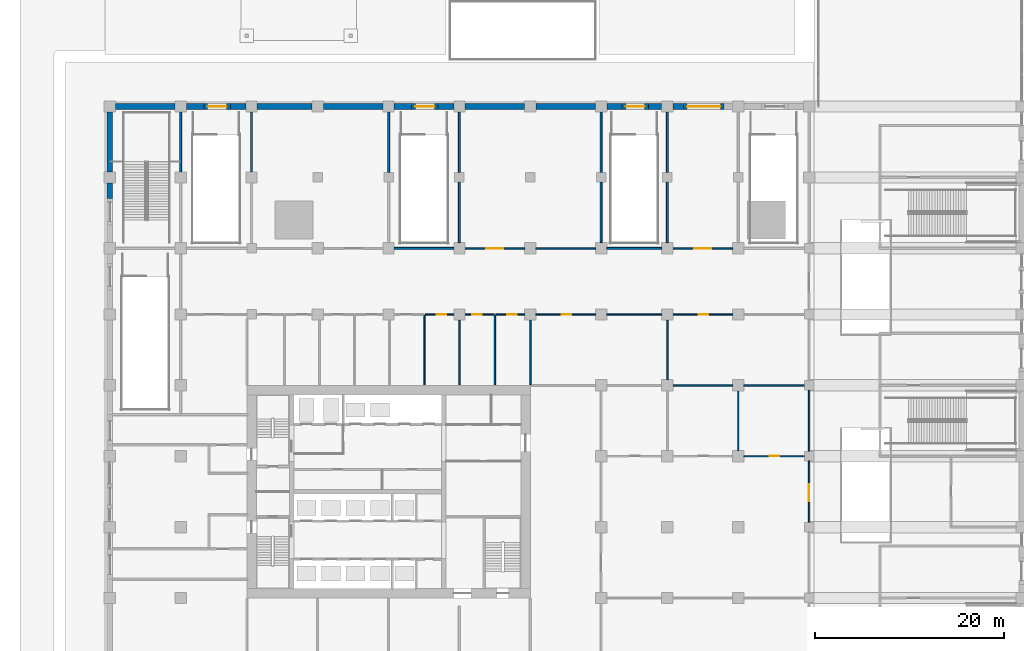
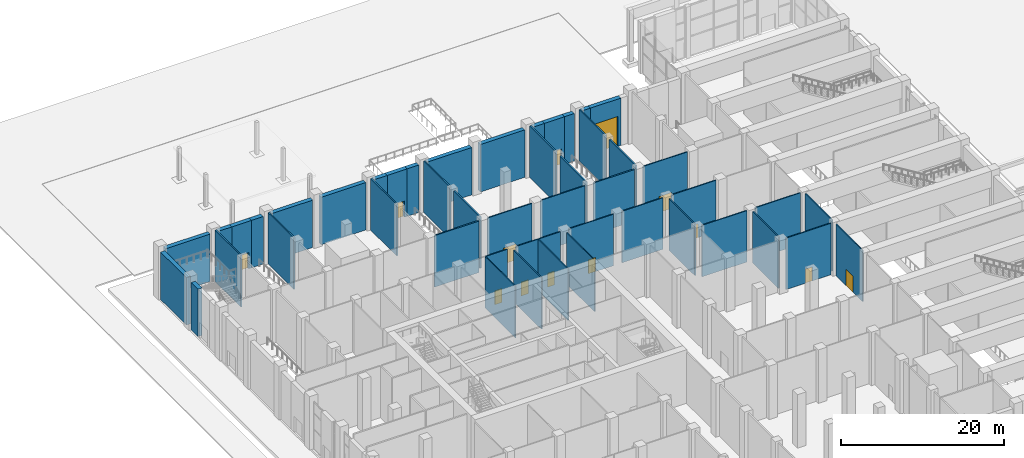
# One storey, part 30 of 57: 49 walls, 13 doors, 13 openings.
"""IFC4 building model written with IfcOpenShell, lengths in metres."""

from ifc_helpers import new_model, si_unit, direction, frame, frame_2d, origin, place, context, subcontext, project, spatial, rectangle, extrude, material, layer, layer_set, type_object, element, fill, save


model = new_model("IFC4")

# Units and contexts
model_context = context("Model", 3, precision=1e-05, world=origin(), true_north=direction((0.0, 1.0)))
body_context = subcontext(model_context, "Body", "Model", "MODEL_VIEW")
ifc_project = project(units=[si_unit("LENGTHUNIT", "METRE"), si_unit("AREAUNIT", "SQUARE_METRE"), si_unit("VOLUMEUNIT", "CUBIC_METRE"), si_unit("PLANEANGLEUNIT", "RADIAN"), si_unit("MASSUNIT", "GRAM", prefix="KILO")], contexts=[model_context])

# Site, building, storey
site_placement = place(None, origin())
site = spatial("IfcSite", under=ifc_project, at=site_placement, CompositionType="ELEMENT")
building_placement = place(site_placement, origin())
building = spatial("IfcBuilding", under=site, at=building_placement, Name="Tamorin Gate", CompositionType="ELEMENT")
storey_placement = place(building_placement, origin())
storey = spatial("IfcBuildingStorey", under=building, at=storey_placement, Name="L00", CompositionType="ELEMENT", Elevation=0.0)

# Wall, opening, door
ifc_material_1 = material(Name="Concrete masonry C20/25", Category="masonry")
ifc_layer_1 = layer(ifc_material_1, 0.14990234375)
ifc_layer_set_1 = layer_set([ifc_layer_1], Name="Partition 150")
wall_type_1 = type_object("IfcWallType", Name="Partition 150", PredefinedType="PARTITIONING", material=ifc_layer_set_1)
wall_1_placement = place(storey_placement, frame((59.39990234375, 97.0, 0.0), z_axis=(0.0, 0.0, 1.0), x_axis=(-1.0, 0.0, 0.0)))
wall_1 = element("IfcWall", 1, at=wall_1_placement, inside=storey, type_object=wall_type_1, Name="Partition 150 L00", PredefinedType="PARTITIONING", context=body_context, shape_type="SweptSolid", body=[
    extrude(rectangle(XDim=6.2998046875, YDim=0.14990234375, at=frame_2d((3.14990234375, 0.0))), origin(), (0.0, 0.0, 1.0), 7.699951171875),
])
opening_1_placement = place(wall_1_placement, frame((2.25, 0.0, 0.0)))
opening_1 = element("IfcOpeningElement", 2, at=opening_1_placement, cuts=wall_1, Name="Opening DP3", PredefinedType="OPENING", context=body_context, shape_type="SweptSolid", body=[
    extrude(rectangle(XDim=1.800048828125, YDim=2.39990234375, at=frame_2d((0.89990234375, 1.199951171875))), frame((0.0, 0.0849609375, 0.0), z_axis=(0.0, -1.0, 0.0), x_axis=(1.0, 0.0, 0.0)), (0.0, 0.0, 1.0), 0.169921875),
])
ifc_material_2 = material(Name="Steel and glass", Category="steel")
door_type_1 = type_object("IfcDoorType", Name="Door pair 1800", OperationType="DOUBLE_DOOR_SINGLE_SWING", PredefinedType="DOOR", material=ifc_material_2)
door_1_placement = place(opening_1_placement, origin())
door_1 = element("IfcDoor", 3, at=door_1_placement, inside=storey, type_object=door_type_1, Name="Door pair 1800 L00", OperationType="SINGLE_SWING_LEFT", OverallHeight=2.39990234375, OverallWidth=1.800048828125, PredefinedType="DOOR", context=body_context, shape_type="SweptSolid", body=[
    extrude(rectangle(XDim=1.800048828125, YDim=2.39990234375, at=frame_2d((0.89990234375, 1.199951171875))), frame((0.0, 0.02490234375, 0.0), z_axis=(0.0, -1.0, 0.0), x_axis=(1.0, 0.0, 0.0)), (0.0, 0.0, 1.0), 0.050048828125),
])
fill(opening_1, door_1)

# Wall
wall_2_placement = place(storey_placement, frame((60.60009765625, 97.0, 0.0), z_axis=(0.0, 0.0, 1.0), x_axis=(1.0, 0.0, 0.0)))
element("IfcWall", 4, at=wall_2_placement, inside=storey, type_object=wall_type_1, Name="Partition 150 L00", PredefinedType="PARTITIONING", context=body_context, shape_type="SweptSolid", body=[
    extrude(rectangle(XDim=6.2998046875, YDim=0.14990234375, at=frame_2d((3.14990234375, 0.0))), origin(), (0.0, 0.0, 1.0), 7.699951171875),
])

# Wall, opening, door
wall_3_placement = place(storey_placement, frame((81.39990234375, 97.0, 0.0), z_axis=(0.0, 0.0, 1.0), x_axis=(-1.0, 0.0, 0.0)))
wall_3 = element("IfcWall", 5, at=wall_3_placement, inside=storey, type_object=wall_type_1, Name="Partition 150 L00", PredefinedType="PARTITIONING", context=body_context, shape_type="SweptSolid", body=[
    extrude(rectangle(XDim=6.2998046875, YDim=0.14990234375, at=frame_2d((3.14990234375, 0.0))), origin(), (0.0, 0.0, 1.0), 7.699951171875),
])
opening_2_placement = place(wall_3_placement, frame((2.25, 0.0, 0.0)))
opening_2 = element("IfcOpeningElement", 6, at=opening_2_placement, cuts=wall_3, Name="Opening DP3", PredefinedType="OPENING", context=body_context, shape_type="SweptSolid", body=[
    extrude(rectangle(XDim=1.800048828125, YDim=2.39990234375, at=frame_2d((0.89990234375, 1.199951171875))), frame((0.0, 0.0849609375, 0.0), z_axis=(0.0, -1.0, 0.0), x_axis=(1.0, 0.0, 0.0)), (0.0, 0.0, 1.0), 0.169921875),
])
door_2_placement = place(opening_2_placement, origin())
door_2 = element("IfcDoor", 7, at=door_2_placement, inside=storey, type_object=door_type_1, Name="Door pair 1800 L00", OperationType="SINGLE_SWING_LEFT", OverallHeight=2.39990234375, OverallWidth=1.800048828125, PredefinedType="DOOR", context=body_context, shape_type="SweptSolid", body=[
    extrude(rectangle(XDim=1.800048828125, YDim=2.39990234375, at=frame_2d((0.89990234375, 1.199951171875))), frame((0.0, 0.02490234375, 0.0), z_axis=(0.0, -1.0, 0.0), x_axis=(1.0, 0.0, 0.0)), (0.0, 0.0, 1.0), 0.050048828125),
])
fill(opening_2, door_2)

wall_4_placement = place(storey_placement, frame((48.875, 90.0, 0.0), z_axis=(0.0, 0.0, 1.0), x_axis=(1.0, 0.0, 0.0)))
wall_4 = element("IfcWall", 8, at=wall_4_placement, inside=storey, type_object=wall_type_1, Name="Partition 150 L00", PredefinedType="PARTITIONING", context=body_context, shape_type="SweptSolid", body=[
    extrude(rectangle(XDim=3.02490234375, YDim=0.14990234375, at=frame_2d((1.512451171875, 0.0))), origin(), (0.0, 0.0, 1.0), 7.699951171875),
])
opening_3_placement = place(wall_4_placement, frame((1.25, 0.0, 0.0)))
opening_3 = element("IfcOpeningElement", 9, at=opening_3_placement, cuts=wall_4, Name="Opening DP2", PredefinedType="OPENING", context=body_context, shape_type="SweptSolid", body=[
    extrude(rectangle(XDim=1.0, YDim=2.10009765625, at=frame_2d((0.5, 1.050048828125))), frame((0.0, 0.0849609375, 0.0), z_axis=(0.0, -1.0, 0.0), x_axis=(1.0, 0.0, 0.0)), (0.0, 0.0, 1.0), 0.169921875),
])
ifc_material_3 = material(Name="Painted steel", Category="steel")
door_type_2 = type_object("IfcDoorType", Name="Door single 1000", OperationType="SINGLE_SWING_LEFT", PredefinedType="DOOR", material=ifc_material_3)
door_3_placement = place(opening_3_placement, origin())
door_3 = element("IfcDoor", 10, at=door_3_placement, inside=storey, type_object=door_type_2, Name="Door single 1000 L00", OperationType="SINGLE_SWING_LEFT", OverallHeight=2.10009765625, OverallWidth=1.0, PredefinedType="DOOR", context=body_context, shape_type="SweptSolid", body=[
    extrude(rectangle(XDim=1.0, YDim=2.10009765625, at=frame_2d((0.5, 1.050048828125))), frame((0.0, 0.02490234375, 0.0), z_axis=(0.0, -1.0, 0.0), x_axis=(1.0, 0.0, 0.0)), (0.0, 0.0, 1.0), 0.050048828125),
])
fill(opening_3, door_3)

wall_5_placement = place(storey_placement, frame((53.10009765625, 90.0, 0.0), z_axis=(0.0, 0.0, 1.0), x_axis=(1.0, 0.0, 0.0)))
wall_5 = element("IfcWall", 11, at=wall_5_placement, inside=storey, type_object=wall_type_1, Name="Partition 150 L00", PredefinedType="PARTITIONING", context=body_context, shape_type="SweptSolid", body=[
    extrude(rectangle(XDim=3.074951171875, YDim=0.14990234375, at=frame_2d((1.53759765625, 0.0))), origin(), (0.0, 0.0, 1.0), 7.699951171875),
])
opening_4_placement = place(wall_5_placement, frame((0.75, 0.0, 0.0)))
opening_4 = element("IfcOpeningElement", 12, at=opening_4_placement, cuts=wall_5, Name="Opening DP2", PredefinedType="OPENING", context=body_context, shape_type="SweptSolid", body=[
    extrude(rectangle(XDim=1.0, YDim=2.10009765625, at=frame_2d((0.5, 1.050048828125))), frame((0.0, 0.0849609375, 0.0), z_axis=(0.0, -1.0, 0.0), x_axis=(1.0, 0.0, 0.0)), (0.0, 0.0, 1.0), 0.169921875),
])
door_4_placement = place(opening_4_placement, origin())
door_4 = element("IfcDoor", 13, at=door_4_placement, inside=storey, type_object=door_type_2, Name="Door single 1000 L00", OperationType="SINGLE_SWING_LEFT", OverallHeight=2.10009765625, OverallWidth=1.0, PredefinedType="DOOR", context=body_context, shape_type="SweptSolid", body=[
    extrude(rectangle(XDim=1.0, YDim=2.10009765625, at=frame_2d((0.5, 1.050048828125))), frame((0.0, 0.02490234375, 0.0), z_axis=(0.0, -1.0, 0.0), x_axis=(1.0, 0.0, 0.0)), (0.0, 0.0, 1.0), 0.050048828125),
])
fill(opening_4, door_4)

wall_6_placement = place(storey_placement, frame((56.324951171875, 90.0, 0.0), z_axis=(0.0, 0.0, 1.0), x_axis=(1.0, 0.0, 0.0)))
wall_6 = element("IfcWall", 14, at=wall_6_placement, inside=storey, type_object=wall_type_1, Name="Partition 150 L00", PredefinedType="PARTITIONING", context=body_context, shape_type="SweptSolid", body=[
    extrude(rectangle(XDim=3.074951171875, YDim=0.14990234375, at=frame_2d((1.53759765625, 0.0))), origin(), (0.0, 0.0, 1.0), 7.699951171875),
])
opening_5_placement = place(wall_6_placement, frame((1.25, 0.0, 0.0)))
opening_5 = element("IfcOpeningElement", 15, at=opening_5_placement, cuts=wall_6, Name="Opening DP2", PredefinedType="OPENING", context=body_context, shape_type="SweptSolid", body=[
    extrude(rectangle(XDim=1.0, YDim=2.10009765625, at=frame_2d((0.5, 1.050048828125))), frame((0.0, 0.0849609375, 0.0), z_axis=(0.0, -1.0, 0.0), x_axis=(1.0, 0.0, 0.0)), (0.0, 0.0, 1.0), 0.169921875),
])
door_5_placement = place(opening_5_placement, origin())
door_5 = element("IfcDoor", 16, at=door_5_placement, inside=storey, type_object=door_type_2, Name="Door single 1000 L00", OperationType="SINGLE_SWING_LEFT", OverallHeight=2.10009765625, OverallWidth=1.0, PredefinedType="DOOR", context=body_context, shape_type="SweptSolid", body=[
    extrude(rectangle(XDim=1.0, YDim=2.10009765625, at=frame_2d((0.5, 1.050048828125))), frame((0.0, 0.02490234375, 0.0), z_axis=(0.0, -1.0, 0.0), x_axis=(1.0, 0.0, 0.0)), (0.0, 0.0, 1.0), 0.050048828125),
])
fill(opening_5, door_5)

wall_7_placement = place(storey_placement, frame((60.60009765625, 90.0, 0.0), z_axis=(0.0, 0.0, 1.0), x_axis=(1.0, 0.0, 0.0)))
wall_7 = element("IfcWall", 17, at=wall_7_placement, inside=storey, type_object=wall_type_1, Name="Partition 150 L00", PredefinedType="PARTITIONING", context=body_context, shape_type="SweptSolid", body=[
    extrude(rectangle(XDim=6.2998046875, YDim=0.14990234375, at=frame_2d((3.14990234375, 0.0))), origin(), (0.0, 0.0, 1.0), 7.699951171875),
])
opening_6_placement = place(wall_7_placement, frame((2.75, 0.0, 0.0)))
opening_6 = element("IfcOpeningElement", 18, at=opening_6_placement, cuts=wall_7, Name="Opening DP2", PredefinedType="OPENING", context=body_context, shape_type="SweptSolid", body=[
    extrude(rectangle(XDim=1.0, YDim=2.10009765625, at=frame_2d((0.5, 1.050048828125))), frame((0.0, 0.0849609375, 0.0), z_axis=(0.0, -1.0, 0.0), x_axis=(1.0, 0.0, 0.0)), (0.0, 0.0, 1.0), 0.169921875),
])
door_6_placement = place(opening_6_placement, origin())
door_6 = element("IfcDoor", 19, at=door_6_placement, inside=storey, type_object=door_type_2, Name="Door single 1000 L00", OperationType="SINGLE_SWING_LEFT", OverallHeight=2.10009765625, OverallWidth=1.0, PredefinedType="DOOR", context=body_context, shape_type="SweptSolid", body=[
    extrude(rectangle(XDim=1.0, YDim=2.10009765625, at=frame_2d((0.5, 1.050048828125))), frame((0.0, 0.02490234375, 0.0), z_axis=(0.0, -1.0, 0.0), x_axis=(1.0, 0.0, 0.0)), (0.0, 0.0, 1.0), 0.050048828125),
])
fill(opening_6, door_6)

# Wall
wall_8_placement = place(storey_placement, frame((68.10009765625, 90.0, 0.0), z_axis=(0.0, 0.0, 1.0), x_axis=(1.0, 0.0, 0.0)))
element("IfcWall", 20, at=wall_8_placement, inside=storey, type_object=wall_type_1, Name="Partition 150 L00", PredefinedType="PARTITIONING", context=body_context, shape_type="SweptSolid", body=[
    extrude(rectangle(XDim=5.7998046875, YDim=0.14990234375, at=frame_2d((2.89990234375, 0.0))), origin(), (0.0, 0.0, 1.0), 7.699951171875),
])

# Wall, opening, door
wall_9_placement = place(storey_placement, frame((75.10009765625, 90.0, 0.0), z_axis=(0.0, 0.0, 1.0), x_axis=(1.0, 0.0, 0.0)))
wall_9 = element("IfcWall", 21, at=wall_9_placement, inside=storey, type_object=wall_type_1, Name="Partition 150 L00", PredefinedType="PARTITIONING", context=body_context, shape_type="SweptSolid", body=[
    extrude(rectangle(XDim=6.2998046875, YDim=0.14990234375, at=frame_2d((3.14990234375, 0.0))), origin(), (0.0, 0.0, 1.0), 7.699951171875),
])
opening_7_placement = place(wall_9_placement, frame((2.75, 0.0, 0.0)))
opening_7 = element("IfcOpeningElement", 22, at=opening_7_placement, cuts=wall_9, Name="Opening DP2", PredefinedType="OPENING", context=body_context, shape_type="SweptSolid", body=[
    extrude(rectangle(XDim=1.0, YDim=2.10009765625, at=frame_2d((0.5, 1.050048828125))), frame((0.0, 0.0849609375, 0.0), z_axis=(0.0, -1.0, 0.0), x_axis=(1.0, 0.0, 0.0)), (0.0, 0.0, 1.0), 0.169921875),
])
door_7_placement = place(opening_7_placement, origin())
door_7 = element("IfcDoor", 23, at=door_7_placement, inside=storey, type_object=door_type_2, Name="Door single 1000 L00", OperationType="SINGLE_SWING_LEFT", OverallHeight=2.10009765625, OverallWidth=1.0, PredefinedType="DOOR", context=body_context, shape_type="SweptSolid", body=[
    extrude(rectangle(XDim=1.0, YDim=2.10009765625, at=frame_2d((0.5, 1.050048828125))), frame((0.0, 0.02490234375, 0.0), z_axis=(0.0, -1.0, 0.0), x_axis=(1.0, 0.0, 0.0)), (0.0, 0.0, 1.0), 0.050048828125),
])
fill(opening_7, door_7)

# Walls
wall_10_placement = place(storey_placement, frame((75.10009765625, 82.5, 0.0), z_axis=(0.0, 0.0, 1.0), x_axis=(1.0, 0.0, 0.0)))
element("IfcWall", 24, at=wall_10_placement, inside=storey, type_object=wall_type_1, Name="Partition 150 L00", PredefinedType="PARTITIONING", context=body_context, shape_type="SweptSolid", body=[
    extrude(rectangle(XDim=6.2998046875, YDim=0.14990234375, at=frame_2d((3.14990234375, 0.0))), origin(), (0.0, 0.0, 1.0), 7.699951171875),
])
wall_11_placement = place(storey_placement, frame((82.60009765625, 82.5, 0.0), z_axis=(0.0, 0.0, 1.0), x_axis=(1.0, 0.0, 0.0)))
element("IfcWall", 25, at=wall_11_placement, inside=storey, type_object=wall_type_1, Name="Partition 150 L00", PredefinedType="PARTITIONING", context=body_context, shape_type="SweptSolid", body=[
    extrude(rectangle(XDim=6.39990234375, YDim=0.14990234375, at=frame_2d((3.199951171875, 0.0))), origin(), (0.0, 0.0, 1.0), 7.699951171875),
])

# Wall, opening, door
wall_12_placement = place(storey_placement, frame((89.0, 75.0, 0.0), z_axis=(0.0, 0.0, 1.0), x_axis=(-1.0, 0.0, 0.0)))
wall_12 = element("IfcWall", 26, at=wall_12_placement, inside=storey, type_object=wall_type_1, Name="Partition 150 L00", PredefinedType="PARTITIONING", context=body_context, shape_type="SweptSolid", body=[
    extrude(rectangle(XDim=6.39990234375, YDim=0.14990234375, at=frame_2d((3.199951171875, 0.0))), origin(), (0.0, 0.0, 1.0), 7.699951171875),
])
opening_8_placement = place(wall_12_placement, frame((2.64990234375, 0.0, 0.0)))
opening_8 = element("IfcOpeningElement", 27, at=opening_8_placement, cuts=wall_12, Name="Opening DP2", PredefinedType="OPENING", context=body_context, shape_type="SweptSolid", body=[
    extrude(rectangle(XDim=1.0, YDim=2.10009765625, at=frame_2d((0.5, 1.050048828125))), frame((0.0, 0.0849609375, 0.0), z_axis=(0.0, -1.0, 0.0), x_axis=(1.0, 0.0, 0.0)), (0.0, 0.0, 1.0), 0.169921875),
])
door_8_placement = place(opening_8_placement, origin())
door_8 = element("IfcDoor", 28, at=door_8_placement, inside=storey, type_object=door_type_2, Name="Door single 1000 L00", OperationType="SINGLE_SWING_LEFT", OverallHeight=2.10009765625, OverallWidth=1.0, PredefinedType="DOOR", context=body_context, shape_type="SweptSolid", body=[
    extrude(rectangle(XDim=1.0, YDim=2.10009765625, at=frame_2d((0.5, 1.050048828125))), frame((0.0, 0.02490234375, 0.0), z_axis=(0.0, -1.0, 0.0), x_axis=(1.0, 0.0, 0.0)), (0.0, 0.0, 1.0), 0.050048828125),
])
fill(opening_8, door_8)

# Walls
for number, where, z_axis, x_axis, name in (
    (29, (52.5, 82.574951171875, 0.0), (0.0, 0.0, 1.0), (0.0, 1.0, 0.0), "Partition 150 L00"),
    (30, (60.0, 82.574951171875, 0.0), (0.0, 0.0, 1.0), (0.0, 1.0, 0.0), "Partition 150 L00"),
):
    element("IfcWall", number, at=place(storey_placement, frame(where, z_axis=z_axis, x_axis=x_axis)), inside=storey, type_object=wall_type_1, Name=name, PredefinedType="PARTITIONING", context=body_context, shape_type="SweptSolid", body=[
        extrude(rectangle(XDim=6.824951171875, YDim=0.14990234375, at=frame_2d((3.41259765625, 0.0))), origin(), (0.0, 0.0, 1.0), 7.699951171875),
    ])

# Wall, opening, door
wall_13_placement = place(storey_placement, frame((89.5, 74.5, 0.0), z_axis=(0.0, 0.0, 1.0), x_axis=(0.0, -1.0, 0.0)))
wall_13 = element("IfcWall", 31, at=wall_13_placement, inside=storey, type_object=wall_type_1, Name="Partition 150 L00", PredefinedType="PARTITIONING", context=body_context, shape_type="SweptSolid", body=[
    extrude(rectangle(XDim=6.5, YDim=0.14990234375, at=frame_2d((3.25, 0.0))), origin(), (0.0, 0.0, 1.0), 7.699951171875),
])
opening_9_placement = place(wall_13_placement, frame((2.449951171875, 0.0, 0.0)))
opening_9 = element("IfcOpeningElement", 32, at=opening_9_placement, cuts=wall_13, Name="Opening DP3", PredefinedType="OPENING", context=body_context, shape_type="SweptSolid", body=[
    extrude(rectangle(XDim=1.800048828125, YDim=2.39990234375, at=frame_2d((0.89990234375, 1.199951171875))), frame((0.0, 0.0849609375, 0.0), z_axis=(0.0, -1.0, 0.0), x_axis=(1.0, 0.0, 0.0)), (0.0, 0.0, 1.0), 0.169921875),
])
door_9_placement = place(opening_9_placement, origin())
door_9 = element("IfcDoor", 33, at=door_9_placement, inside=storey, type_object=door_type_1, Name="Door pair 1800 L00", OperationType="SINGLE_SWING_LEFT", OverallHeight=2.39990234375, OverallWidth=1.800048828125, PredefinedType="DOOR", context=body_context, shape_type="SweptSolid", body=[
    extrude(rectangle(XDim=1.800048828125, YDim=2.39990234375, at=frame_2d((0.89990234375, 1.199951171875))), frame((0.0, 0.02490234375, 0.0), z_axis=(0.0, -1.0, 0.0), x_axis=(1.0, 0.0, 0.0)), (0.0, 0.0, 1.0), 0.050048828125),
])
fill(opening_9, door_9)

# Walls
wall_14_placement = place(storey_placement, frame((89.5, 75.5, 0.0), z_axis=(0.0, 0.0, 1.0), x_axis=(0.0, 1.0, 0.0)))
element("IfcWall", 34, at=wall_14_placement, inside=storey, type_object=wall_type_1, Name="Partition 150 L00", PredefinedType="PARTITIONING", context=body_context, shape_type="SweptSolid", body=[
    extrude(rectangle(XDim=6.5, YDim=0.14990234375, at=frame_2d((3.25, 0.0))), origin(), (0.0, 0.0, 1.0), 7.699951171875),
])
for number, where, z_axis, x_axis, name in (
    (35, (74.5, 83.10009765625, 0.0), (0.0, 0.0, 1.0), (0.0, 1.0, 0.0), "Partition 150 L00"),
    (36, (82.0, 75.60009765625, 0.0), (0.0, 0.0, 1.0), (0.0, 1.0, 0.0), "Partition 150 L00"),
):
    element("IfcWall", number, at=place(storey_placement, frame(where, z_axis=z_axis, x_axis=x_axis)), inside=storey, type_object=wall_type_1, Name=name, PredefinedType="PARTITIONING", context=body_context, shape_type="SweptSolid", body=[
        extrude(rectangle(XDim=6.2998046875, YDim=0.14990234375, at=frame_2d((3.14990234375, 0.0))), origin(), (0.0, 0.0, 1.0), 7.699951171875),
    ])
for number, where, z_axis, x_axis, name in (
    (37, (48.800048828125, 82.574951171875, 0.0), (0.0, 0.0, 1.0), (0.0, 1.0, 0.0), "Partition 150 L00"),
    (38, (56.25, 82.574951171875, 0.0), (0.0, 0.0, 1.0), (0.0, 1.0, 0.0), "Partition 150 L00"),
):
    element("IfcWall", number, at=place(storey_placement, frame(where, z_axis=z_axis, x_axis=x_axis)), inside=storey, type_object=wall_type_1, Name=name, PredefinedType="PARTITIONING", context=body_context, shape_type="SweptSolid", body=[
        extrude(rectangle(XDim=7.35009765625, YDim=0.14990234375, at=frame_2d((3.675048828125, 0.0))), origin(), (0.0, 0.0, 1.0), 7.699951171875),
    ])
ifc_material_4 = material(Name="Precast concrete C40/50", Category="concrete")
ifc_layer_2 = layer(ifc_material_4, 0.60009765625)
ifc_layer_set_2 = layer_set([ifc_layer_2], Name="Precast concrete C40/50")
wall_type_2 = type_object("IfcWallType", Name="Precast plinth wall 600", PredefinedType="PARTITIONING", material=ifc_layer_set_2)
wall_15_placement = place(storey_placement, frame((16.10009765625, 112.0, 0.0), z_axis=(0.0, 0.0, 1.0), x_axis=(1.0, 0.0, 0.0)))
element("IfcWall", 39, at=wall_15_placement, inside=storey, type_object=wall_type_2, Name="Precast plinth wall 600 L00", PredefinedType="PARTITIONING", context=body_context, shape_type="SweptSolid", body=[
    extrude(rectangle(XDim=6.2998046875, YDim=0.60009765625, at=frame_2d((3.14990234375, 0.0))), origin(), (0.0, 0.0, 1.0), 7.10009765625),
])

# Wall, opening, door
wall_16_placement = place(storey_placement, frame((25.449951171875, 112.0, 0.0), z_axis=(0.0, 0.0, 1.0), x_axis=(1.0, 0.0, 0.0)))
wall_16 = element("IfcWall", 40, at=wall_16_placement, inside=storey, type_object=wall_type_2, Name="Precast plinth wall 600 L00", PredefinedType="PARTITIONING", context=body_context, shape_type="SweptSolid", body=[
    extrude(rectangle(XDim=2.800048828125, YDim=0.60009765625, at=frame_2d((1.39990234375, 0.0))), origin(), (0.0, 0.0, 1.0), 7.10009765625),
])
opening_10_placement = place(wall_16_placement, frame((0.39990234375, 0.0, 0.0)))
opening_10 = element("IfcOpeningElement", 41, at=opening_10_placement, cuts=wall_16, Name="Opening DP4", PredefinedType="OPENING", context=body_context, shape_type="SweptSolid", body=[
    extrude(rectangle(XDim=2.0, YDim=2.39990234375, at=frame_2d((1.0, 1.199951171875))), frame((0.0, 0.31005859375, 0.0), z_axis=(0.0, -1.0, 0.0), x_axis=(1.0, 0.0, 0.0)), (0.0, 0.0, 1.0), 0.6201171875),
])
door_type_3 = type_object("IfcDoorType", Name="Exit door pair 2000", OperationType="DOUBLE_DOOR_SINGLE_SWING", PredefinedType="DOOR", material=ifc_material_2)
door_10_placement = place(opening_10_placement, origin())
door_10 = element("IfcDoor", 42, at=door_10_placement, inside=storey, type_object=door_type_3, Name="Exit door pair 2000 L00", OperationType="SINGLE_SWING_LEFT", OverallHeight=2.39990234375, OverallWidth=2.0, PredefinedType="DOOR", context=body_context, shape_type="SweptSolid", body=[
    extrude(rectangle(XDim=2.0, YDim=2.39990234375, at=frame_2d((1.0, 1.199951171875))), frame((0.0, 0.02490234375, 0.0), z_axis=(0.0, -1.0, 0.0), x_axis=(1.0, 0.0, 0.0)), (0.0, 0.0, 1.0), 0.050048828125),
])
fill(opening_10, door_10)

# Walls
wall_17_placement = place(storey_placement, frame((23.60009765625, 112.0, 0.0), z_axis=(0.0, 0.0, 1.0), x_axis=(1.0, 0.0, 0.0)))
element("IfcWall", 43, at=wall_17_placement, inside=storey, type_object=wall_type_2, Name="Precast plinth wall 600 L00", PredefinedType="PARTITIONING", context=body_context, shape_type="SweptSolid", body=[
    extrude(rectangle(XDim=1.849853515625, YDim=0.60009765625, at=frame_2d((0.9248046875, 0.0))), origin(), (0.0, 0.0, 1.0), 7.10009765625),
])
wall_18_placement = place(storey_placement, frame((28.25, 112.0, 0.0), z_axis=(0.0, 0.0, 1.0), x_axis=(1.0, 0.0, 0.0)))
element("IfcWall", 44, at=wall_18_placement, inside=storey, type_object=wall_type_2, Name="Precast plinth wall 600 L00", PredefinedType="PARTITIONING", context=body_context, shape_type="SweptSolid", body=[
    extrude(rectangle(XDim=1.64990234375, YDim=0.60009765625, at=frame_2d((0.824951171875, 0.0))), origin(), (0.0, 0.0, 1.0), 7.10009765625),
])
wall_19_placement = place(storey_placement, frame((31.10009765625, 112.0, 0.0), z_axis=(0.0, 0.0, 1.0), x_axis=(1.0, 0.0, 0.0)))
element("IfcWall", 45, at=wall_19_placement, inside=storey, type_object=wall_type_2, Name="Precast plinth wall 600 L00", PredefinedType="PARTITIONING", context=body_context, shape_type="SweptSolid", body=[
    extrude(rectangle(XDim=5.7998046875, YDim=0.60009765625, at=frame_2d((2.89990234375, 0.0))), origin(), (0.0, 0.0, 1.0), 7.10009765625),
])
wall_20_placement = place(storey_placement, frame((38.10009765625, 112.0, 0.0), z_axis=(0.0, 0.0, 1.0), x_axis=(1.0, 0.0, 0.0)))
element("IfcWall", 46, at=wall_20_placement, inside=storey, type_object=wall_type_2, Name="Precast plinth wall 600 L00", PredefinedType="PARTITIONING", context=body_context, shape_type="SweptSolid", body=[
    extrude(rectangle(XDim=6.2998046875, YDim=0.60009765625, at=frame_2d((3.14990234375, 0.0))), origin(), (0.0, 0.0, 1.0), 7.10009765625),
])

# Wall, opening, door
wall_21_placement = place(storey_placement, frame((47.449951171875, 112.0, 0.0), z_axis=(0.0, 0.0, 1.0), x_axis=(1.0, 0.0, 0.0)))
wall_21 = element("IfcWall", 47, at=wall_21_placement, inside=storey, type_object=wall_type_2, Name="Precast plinth wall 600 L00", PredefinedType="PARTITIONING", context=body_context, shape_type="SweptSolid", body=[
    extrude(rectangle(XDim=2.800048828125, YDim=0.60009765625, at=frame_2d((1.39990234375, 0.0))), origin(), (0.0, 0.0, 1.0), 7.10009765625),
])
opening_11_placement = place(wall_21_placement, frame((0.39990234375, 0.0, 0.0)))
opening_11 = element("IfcOpeningElement", 48, at=opening_11_placement, cuts=wall_21, Name="Opening DP4", PredefinedType="OPENING", context=body_context, shape_type="SweptSolid", body=[
    extrude(rectangle(XDim=2.0, YDim=2.39990234375, at=frame_2d((1.0, 1.199951171875))), frame((0.0, 0.31005859375, 0.0), z_axis=(0.0, -1.0, 0.0), x_axis=(1.0, 0.0, 0.0)), (0.0, 0.0, 1.0), 0.6201171875),
])
door_11_placement = place(opening_11_placement, origin())
door_11 = element("IfcDoor", 49, at=door_11_placement, inside=storey, type_object=door_type_3, Name="Exit door pair 2000 L00", OperationType="SINGLE_SWING_LEFT", OverallHeight=2.39990234375, OverallWidth=2.0, PredefinedType="DOOR", context=body_context, shape_type="SweptSolid", body=[
    extrude(rectangle(XDim=2.0, YDim=2.39990234375, at=frame_2d((1.0, 1.199951171875))), frame((0.0, 0.02490234375, 0.0), z_axis=(0.0, -1.0, 0.0), x_axis=(1.0, 0.0, 0.0)), (0.0, 0.0, 1.0), 0.050048828125),
])
fill(opening_11, door_11)

# Walls
wall_22_placement = place(storey_placement, frame((45.60009765625, 112.0, 0.0), z_axis=(0.0, 0.0, 1.0), x_axis=(1.0, 0.0, 0.0)))
element("IfcWall", 50, at=wall_22_placement, inside=storey, type_object=wall_type_2, Name="Precast plinth wall 600 L00", PredefinedType="PARTITIONING", context=body_context, shape_type="SweptSolid", body=[
    extrude(rectangle(XDim=1.849853515625, YDim=0.60009765625, at=frame_2d((0.9248046875, 0.0))), origin(), (0.0, 0.0, 1.0), 7.10009765625),
])
wall_23_placement = place(storey_placement, frame((50.25, 112.0, 0.0), z_axis=(0.0, 0.0, 1.0), x_axis=(1.0, 0.0, 0.0)))
element("IfcWall", 51, at=wall_23_placement, inside=storey, type_object=wall_type_2, Name="Precast plinth wall 600 L00", PredefinedType="PARTITIONING", context=body_context, shape_type="SweptSolid", body=[
    extrude(rectangle(XDim=1.64990234375, YDim=0.60009765625, at=frame_2d((0.824951171875, 0.0))), origin(), (0.0, 0.0, 1.0), 7.10009765625),
])
for number, where, z_axis, x_axis, name in (
    (52, (53.10009765625, 112.0, 0.0), (0.0, 0.0, 1.0), (1.0, 0.0, 0.0), "Precast plinth wall 600 L00"),
    (53, (60.60009765625, 112.0, 0.0), (0.0, 0.0, 1.0), (1.0, 0.0, 0.0), "Precast plinth wall 600 L00"),
):
    element("IfcWall", number, at=place(storey_placement, frame(where, z_axis=z_axis, x_axis=x_axis)), inside=storey, type_object=wall_type_2, Name=name, PredefinedType="PARTITIONING", context=body_context, shape_type="SweptSolid", body=[
        extrude(rectangle(XDim=6.2998046875, YDim=0.60009765625, at=frame_2d((3.14990234375, 0.0))), origin(), (0.0, 0.0, 1.0), 7.10009765625),
    ])

# Wall, opening, door
wall_24_placement = place(storey_placement, frame((69.699951171875, 112.0, 0.0), z_axis=(0.0, 0.0, 1.0), x_axis=(1.0, 0.0, 0.0)))
wall_24 = element("IfcWall", 54, at=wall_24_placement, inside=storey, type_object=wall_type_2, Name="Precast plinth wall 600 L00", PredefinedType="PARTITIONING", context=body_context, shape_type="SweptSolid", body=[
    extrude(rectangle(XDim=2.800048828125, YDim=0.60009765625, at=frame_2d((1.39990234375, 0.0))), origin(), (0.0, 0.0, 1.0), 7.10009765625),
])
opening_12_placement = place(wall_24_placement, frame((0.39990234375, 0.0, 0.0)))
opening_12 = element("IfcOpeningElement", 55, at=opening_12_placement, cuts=wall_24, Name="Opening DP4", PredefinedType="OPENING", context=body_context, shape_type="SweptSolid", body=[
    extrude(rectangle(XDim=2.0, YDim=2.39990234375, at=frame_2d((1.0, 1.199951171875))), frame((0.0, 0.31005859375, 0.0), z_axis=(0.0, -1.0, 0.0), x_axis=(1.0, 0.0, 0.0)), (0.0, 0.0, 1.0), 0.6201171875),
])
door_12_placement = place(opening_12_placement, origin())
door_12 = element("IfcDoor", 56, at=door_12_placement, inside=storey, type_object=door_type_3, Name="Exit door pair 2000 L00", OperationType="SINGLE_SWING_LEFT", OverallHeight=2.39990234375, OverallWidth=2.0, PredefinedType="DOOR", context=body_context, shape_type="SweptSolid", body=[
    extrude(rectangle(XDim=2.0, YDim=2.39990234375, at=frame_2d((1.0, 1.199951171875))), frame((0.0, 0.02490234375, 0.0), z_axis=(0.0, -1.0, 0.0), x_axis=(1.0, 0.0, 0.0)), (0.0, 0.0, 1.0), 0.050048828125),
])
fill(opening_12, door_12)

# Walls
wall_25_placement = place(storey_placement, frame((68.10009765625, 112.0, 0.0), z_axis=(0.0, 0.0, 1.0), x_axis=(1.0, 0.0, 0.0)))
element("IfcWall", 57, at=wall_25_placement, inside=storey, type_object=wall_type_2, Name="Precast plinth wall 600 L00", PredefinedType="PARTITIONING", context=body_context, shape_type="SweptSolid", body=[
    extrude(rectangle(XDim=1.599853515625, YDim=0.60009765625, at=frame_2d((0.7998046875, 0.0))), origin(), (0.0, 0.0, 1.0), 7.10009765625),
])
wall_26_placement = place(storey_placement, frame((72.5, 112.0, 0.0), z_axis=(0.0, 0.0, 1.0), x_axis=(1.0, 0.0, 0.0)))
element("IfcWall", 58, at=wall_26_placement, inside=storey, type_object=wall_type_2, Name="Precast plinth wall 600 L00", PredefinedType="PARTITIONING", context=body_context, shape_type="SweptSolid", body=[
    extrude(rectangle(XDim=1.39990234375, YDim=0.60009765625, at=frame_2d((0.699951171875, 0.0))), origin(), (0.0, 0.0, 1.0), 7.10009765625),
])

# Wall, opening, door
wall_27_placement = place(storey_placement, frame((76.199951171875, 112.0, 0.0), z_axis=(0.0, 0.0, 1.0), x_axis=(1.0, 0.0, 0.0)))
wall_27 = element("IfcWall", 59, at=wall_27_placement, inside=storey, type_object=wall_type_2, Name="Precast plinth wall 600 L00", PredefinedType="PARTITIONING", context=body_context, shape_type="SweptSolid", body=[
    extrude(rectangle(XDim=4.300048828125, YDim=0.60009765625, at=frame_2d((2.14990234375, 0.0))), origin(), (0.0, 0.0, 1.0), 7.10009765625),
])
opening_13_placement = place(wall_27_placement, frame((0.39990234375, 0.0, 0.0)))
opening_13 = element("IfcOpeningElement", 60, at=opening_13_placement, cuts=wall_27, Name="Opening DP6", PredefinedType="OPENING", context=body_context, shape_type="SweptSolid", body=[
    extrude(rectangle(XDim=3.5, YDim=4.5, at=frame_2d((1.75, 2.25))), frame((0.0, 0.31005859375, 0.0), z_axis=(0.0, -1.0, 0.0), x_axis=(1.0, 0.0, 0.0)), (0.0, 0.0, 1.0), 0.6201171875),
])
door_type_4 = type_object("IfcDoorType", Name="Service door 3500", OperationType="ROLLINGUP", PredefinedType="DOOR", material=ifc_material_3)
door_13_placement = place(opening_13_placement, origin())
door_13 = element("IfcDoor", 61, at=door_13_placement, inside=storey, type_object=door_type_4, Name="Service door 3500 L00", OperationType="SINGLE_SWING_LEFT", OverallHeight=4.5, OverallWidth=3.5, PredefinedType="DOOR", context=body_context, shape_type="SweptSolid", body=[
    extrude(rectangle(XDim=3.5, YDim=4.5, at=frame_2d((1.75, 2.25))), frame((0.0, 0.02490234375, 0.0), z_axis=(0.0, -1.0, 0.0), x_axis=(1.0, 0.0, 0.0)), (0.0, 0.0, 1.0), 0.050048828125),
])
fill(opening_13, door_13)

# Walls
wall_28_placement = place(storey_placement, frame((75.10009765625, 112.0, 0.0), z_axis=(0.0, 0.0, 1.0), x_axis=(1.0, 0.0, 0.0)))
element("IfcWall", 62, at=wall_28_placement, inside=storey, type_object=wall_type_2, Name="Precast plinth wall 600 L00", PredefinedType="PARTITIONING", context=body_context, shape_type="SweptSolid", body=[
    extrude(rectangle(XDim=1.099853515625, YDim=0.60009765625, at=frame_2d((0.5498046875, 0.0))), origin(), (0.0, 0.0, 1.0), 7.10009765625),
])
wall_29_placement = place(storey_placement, frame((15.5, 102.25, 0.0), z_axis=(0.0, 0.0, 1.0), x_axis=(0.0, 1.0, 0.0)))
element("IfcWall", 63, at=wall_29_placement, inside=storey, type_object=wall_type_2, Name="Precast plinth wall 600 L00", PredefinedType="PARTITIONING", context=body_context, shape_type="SweptSolid", body=[
    extrude(rectangle(XDim=1.64990234375, YDim=0.60009765625, at=frame_2d((0.824951171875, 0.0))), origin(), (0.0, 0.0, 1.0), 7.10009765625),
])
wall_30_placement = place(storey_placement, frame((15.5, 105.10009765625, 0.0), z_axis=(0.0, 0.0, 1.0), x_axis=(0.0, 1.0, 0.0)))
element("IfcWall", 64, at=wall_30_placement, inside=storey, type_object=wall_type_2, Name="Precast plinth wall 600 L00", PredefinedType="PARTITIONING", context=body_context, shape_type="SweptSolid", body=[
    extrude(rectangle(XDim=6.2998046875, YDim=0.60009765625, at=frame_2d((3.14990234375, 0.0))), origin(), (0.0, 0.0, 1.0), 7.10009765625),
])
ifc_material_5 = material(Name="Concrete C40/50", Category="concrete")
ifc_layer_3 = layer(ifc_material_5, 0.199951171875)
ifc_layer_set_3 = layer_set([ifc_layer_3], Name="Stair enclosure 200")
wall_type_3 = type_object("IfcWallType", Name="Stair enclosure 200", PredefinedType="SHEAR", material=ifc_layer_set_3)
wall_31_placement = place(storey_placement, frame((45.60009765625, 97.0, 0.0), z_axis=(0.0, 0.0, 1.0), x_axis=(1.0, 0.0, 0.0)))
element("IfcWall", 65, at=wall_31_placement, inside=storey, type_object=wall_type_3, Name="Stair enclosure 200 L00", PredefinedType="SHEAR", context=body_context, shape_type="SweptSolid", body=[
    extrude(rectangle(XDim=6.2998046875, YDim=0.199951171875, at=frame_2d((3.14990234375, 0.0))), origin(), (0.0, 0.0, 1.0), 7.699951171875),
])
wall_32_placement = place(storey_placement, frame((68.10009765625, 97.0, 0.0), z_axis=(0.0, 0.0, 1.0), x_axis=(1.0, 0.0, 0.0)))
element("IfcWall", 66, at=wall_32_placement, inside=storey, type_object=wall_type_3, Name="Stair enclosure 200 L00", PredefinedType="SHEAR", context=body_context, shape_type="SweptSolid", body=[
    extrude(rectangle(XDim=5.7998046875, YDim=0.199951171875, at=frame_2d((2.89990234375, 0.0))), origin(), (0.0, 0.0, 1.0), 7.699951171875),
])
for number, where, z_axis, x_axis, name in (
    (67, (23.0, 105.10009765625, 0.0), (0.0, 0.0, 1.0), (0.0, 1.0, 0.0), "Stair enclosure 200 L00"),
    (68, (30.5, 105.10009765625, 0.0), (0.0, 0.0, 1.0), (0.0, 1.0, 0.0), "Stair enclosure 200 L00"),
):
    element("IfcWall", number, at=place(storey_placement, frame(where, z_axis=z_axis, x_axis=x_axis)), inside=storey, type_object=wall_type_3, Name=name, PredefinedType="SHEAR", context=body_context, shape_type="SweptSolid", body=[
        extrude(rectangle(XDim=6.2998046875, YDim=0.199951171875, at=frame_2d((3.14990234375, 0.0))), origin(), (0.0, 0.0, 1.0), 7.699951171875),
    ])
for number, where, z_axis, x_axis, name in (
    (69, (52.5, 97.60009765625, 0.0), (0.0, 0.0, 1.0), (0.0, 1.0, 0.0), "Stair enclosure 200 L00"),
    (70, (52.5, 105.0, 0.0), (0.0, 0.0, 1.0), (0.0, 1.0, 0.0), "Stair enclosure 200 L00"),
    (71, (45.0, 105.0, 0.0), (0.0, 0.0, 1.0), (0.0, 1.0, 0.0), "Stair enclosure 200 L00"),
    (72, (67.5, 97.60009765625, 0.0), (0.0, 0.0, 1.0), (0.0, 1.0, 0.0), "Stair enclosure 200 L00"),
    (73, (67.5, 105.0, 0.0), (0.0, 0.0, 1.0), (0.0, 1.0, 0.0), "Stair enclosure 200 L00"),
    (74, (74.5, 97.60009765625, 0.0), (0.0, 0.0, 1.0), (0.0, 1.0, 0.0), "Stair enclosure 200 L00"),
    (75, (74.5, 105.0, 0.0), (0.0, 0.0, 1.0), (0.0, 1.0, 0.0), "Stair enclosure 200 L00"),
):
    element("IfcWall", number, at=place(storey_placement, frame(where, z_axis=z_axis, x_axis=x_axis)), inside=storey, type_object=wall_type_3, Name=name, PredefinedType="SHEAR", context=body_context, shape_type="SweptSolid", body=[
        extrude(rectangle(XDim=6.39990234375, YDim=0.199951171875, at=frame_2d((3.199951171875, 0.0))), origin(), (0.0, 0.0, 1.0), 7.699951171875),
    ])

save(model, "model.ifc")
